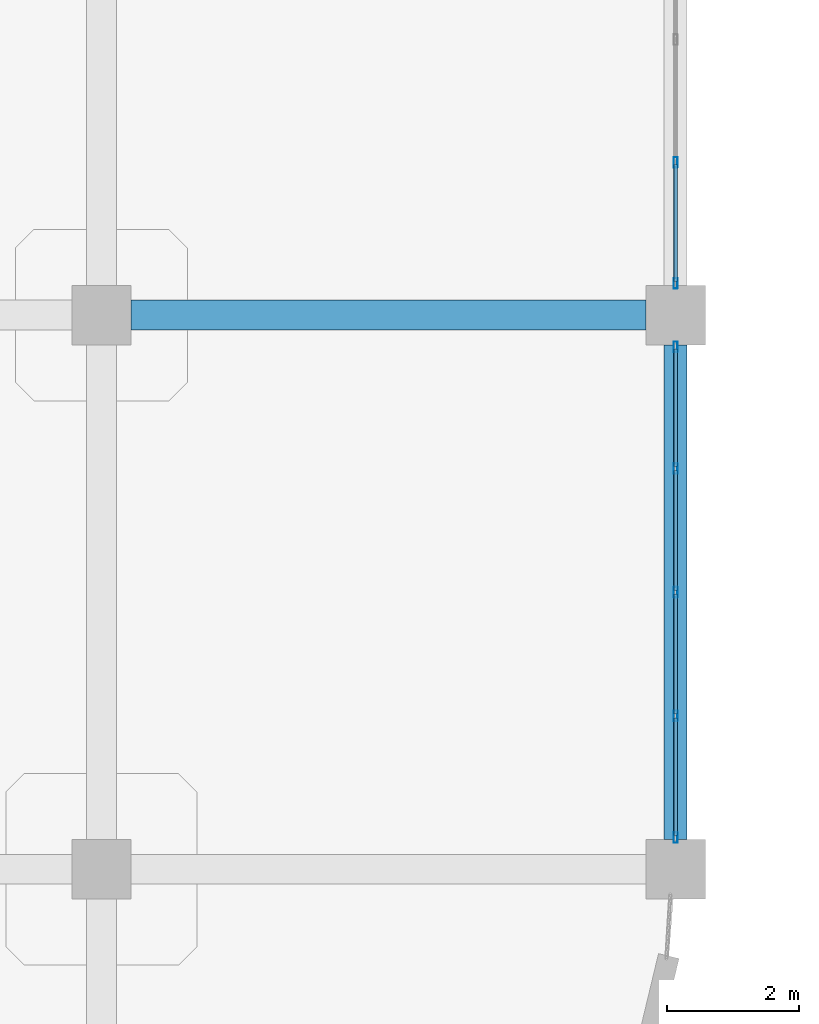
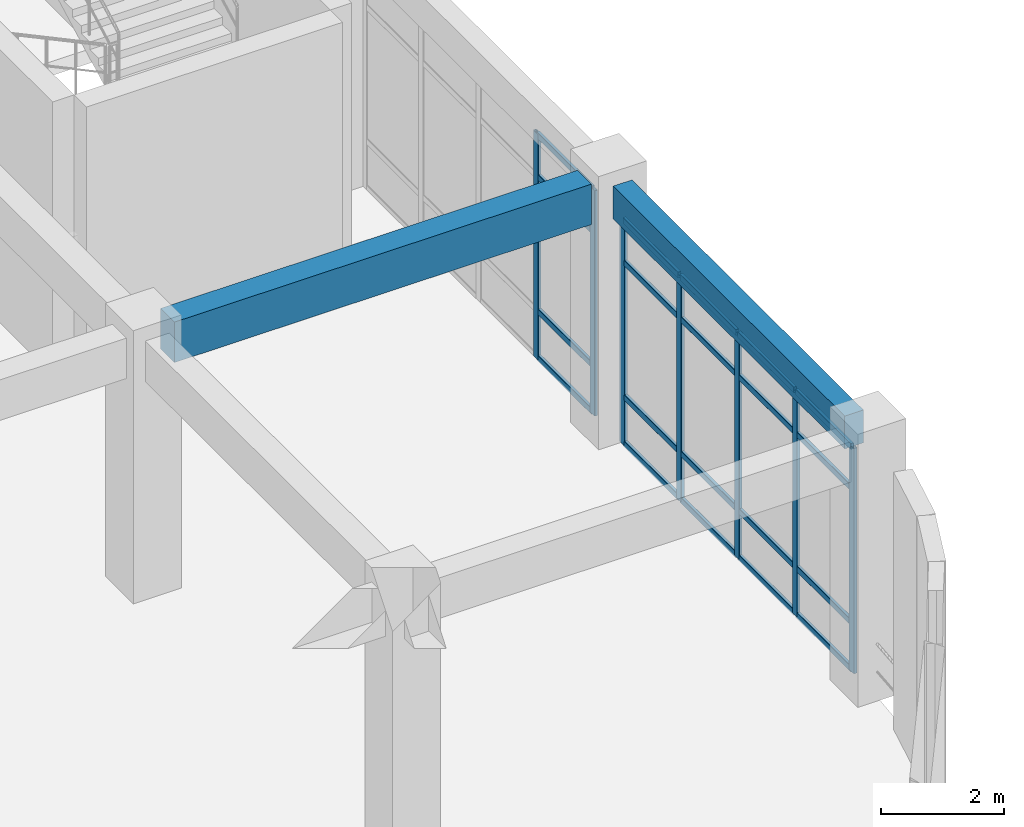
# One storey, part 23 of 114: 27 members, 2 beams, 2 elements without a shape of their own.
"""IFC4 building model written with IfcOpenShell, lengths in metres."""

from ifc_helpers import new_model, si_unit, derived_unit, direction, frame, origin, origin_2d, place, context, subcontext, project, spatial, rectangle, hollow_rectangle, extrude, material, layer, layer_set, material_profile, profile_set, type_object, element, aggregate, save


model = new_model("IFC4")

# Units and contexts
model_context = context("Model", 3, precision=1e-05, world=origin(), true_north=direction((0.0, 1.0)))
body_context = subcontext(model_context, "Body", "Model", "MODEL_VIEW")
ifc_project = project(units=[si_unit("LENGTHUNIT", "METRE"), si_unit("AREAUNIT", "SQUARE_METRE"), si_unit("VOLUMEUNIT", "CUBIC_METRE"), si_unit("PLANEANGLEUNIT", "RADIAN"), si_unit("MASSUNIT", "GRAM", prefix="KILO"), derived_unit("THERMALTRANSMITTANCEUNIT", [(si_unit("MASSUNIT", "GRAM", prefix="KILO"), 1), (si_unit("TIMEUNIT", "SECOND"), -3), (si_unit("THERMODYNAMICTEMPERATUREUNIT", "KELVIN"), -1)])], contexts=[model_context])

# Site, building, storey
site_placement = place(None, origin())
site = spatial("IfcSite", under=ifc_project, at=site_placement, CompositionType="ELEMENT")
building_placement = place(site_placement, origin())
building = spatial("IfcBuilding", under=site, at=building_placement, Name="Qinzheling Arcade Emporium", CompositionType="ELEMENT")
storey_placement = place(building_placement, frame((0.0, 0.0, 6.0)))
storey = spatial("IfcBuildingStorey", under=building, at=storey_placement, Name="L02", CompositionType="ELEMENT", Elevation=6.0)

# Curtain wall, members
ifc_material_1 = material(Name="Anodised aluminium and solar-control double glazing", Category="aluminium")
ifc_layer = layer(ifc_material_1, 0.159912109375, Name="Anodised aluminium and solar-control double glazing", Category="aluminium")
ifc_layer_set = layer_set([ifc_layer], Name="Anodised aluminium and solar-control double glazing")
curtain_wall_type = type_object("IfcCurtainWallType", Name="Arcade Portal Glazed Curtain Wall", PredefinedType="NOTDEFINED", material=ifc_layer_set)
curtain_wall_1_placement = place(storey_placement, origin())
curtain_wall_1 = element("IfcCurtainWall", 1, at=curtain_wall_1_placement, inside=storey, type_object=curtain_wall_type, Name="Curtain Wall CW-L02-067", PredefinedType="NOTDEFINED")
ifc_material_2 = material(Name="Anodised aluminium 6063-T6", Category="aluminium")
ifc_material_profile_1 = material_profile(ifc_material_2, hollow_rectangle(XDim=0.06005859375, YDim=0.159912109375, WallThickness=0.00390625, InnerFilletRadius=0.00390625, OuterFilletRadius=0.008056640625, at=origin_2d()), Name="RHS 160x60x4", Category="aluminium")
ifc_profile_set_1 = profile_set([ifc_material_profile_1], Name="Anodised aluminium 6063-T6")
member_type_1 = type_object("IfcMemberType", Name="Curtain Wall Mullion RHS160x60", PredefinedType="MULLION", material=ifc_profile_set_1)
member_1_placement = place(storey_placement, frame((69.60009765625, 19.113525390625, 0.0), z_axis=(0.0, 0.0, 1.0), x_axis=(1.0, 0.0, 0.0)))
member_1 = element("IfcMember", 2, at=member_1_placement, type_object=member_type_1, Name="CW05 mullion 4", PredefinedType="MULLION", context=body_context, shape_type="SweptSolid", body=[
    extrude(hollow_rectangle(XDim=0.06005859375, YDim=0.159912109375, WallThickness=0.00390625, InnerFilletRadius=0.00390625, OuterFilletRadius=0.008056640625, at=origin_2d()), origin(), (0.0, 0.0, 1.0), 4.455078125),
])
member_2_placement = place(storey_placement, frame((69.60009765625, 17.281982421875, 0.0), z_axis=(0.0, 0.0, 1.0), x_axis=(1.0, 0.0, 0.0)))
member_2 = element("IfcMember", 3, at=member_2_placement, type_object=member_type_1, Name="CW05 mullion 5", PredefinedType="MULLION", context=body_context, shape_type="SweptSolid", body=[
    extrude(hollow_rectangle(XDim=0.06005859375, YDim=0.159912109375, WallThickness=0.00390625, InnerFilletRadius=0.00390625, OuterFilletRadius=0.008056640625, at=origin_2d()), origin(), (0.0, 0.0, 1.0), 4.455078125),
])

curtain_wall_2_placement = place(storey_placement, origin())
curtain_wall_2 = element("IfcCurtainWall", 4, at=curtain_wall_2_placement, inside=storey, type_object=curtain_wall_type, Name="Curtain Wall CW-L02-068", PredefinedType="NOTDEFINED")
member_3_placement = place(storey_placement, frame((69.60009765625, 16.318115234375, 0.0), z_axis=(0.0, 0.0, 1.0), x_axis=(1.0, 0.0, 0.0)))
member_3 = element("IfcMember", 5, at=member_3_placement, type_object=member_type_1, Name="CW05 mullion 1", PredefinedType="MULLION", context=body_context, shape_type="SweptSolid", body=[
    extrude(hollow_rectangle(XDim=0.06005859375, YDim=0.159912109375, WallThickness=0.00390625, InnerFilletRadius=0.00390625, OuterFilletRadius=0.008056640625, at=origin_2d()), origin(), (0.0, 0.0, 1.0), 4.455078125),
])
member_4_placement = place(storey_placement, frame((69.60009765625, 14.47412109375, 0.0), z_axis=(0.0, 0.0, 1.0), x_axis=(1.0, 0.0, 0.0)))
member_4 = element("IfcMember", 6, at=member_4_placement, type_object=member_type_1, Name="CW05 mullion 2", PredefinedType="MULLION", context=body_context, shape_type="SweptSolid", body=[
    extrude(hollow_rectangle(XDim=0.06005859375, YDim=0.159912109375, WallThickness=0.00390625, InnerFilletRadius=0.00390625, OuterFilletRadius=0.008056640625, at=origin_2d()), origin(), (0.0, 0.0, 1.0), 4.455078125),
])
member_5_placement = place(storey_placement, frame((69.60009765625, 12.60009765625, 0.0), z_axis=(0.0, 0.0, 1.0), x_axis=(1.0, 0.0, 0.0)))
member_5 = element("IfcMember", 7, at=member_5_placement, type_object=member_type_1, Name="CW05 mullion 3", PredefinedType="MULLION", context=body_context, shape_type="SweptSolid", body=[
    extrude(hollow_rectangle(XDim=0.06005859375, YDim=0.159912109375, WallThickness=0.00390625, InnerFilletRadius=0.00390625, OuterFilletRadius=0.008056640625, at=origin_2d()), origin(), (0.0, 0.0, 1.0), 4.455078125),
])
member_6_placement = place(storey_placement, frame((69.60009765625, 10.72607421875, 0.0), z_axis=(0.0, 0.0, 1.0), x_axis=(1.0, 0.0, 0.0)))
member_6 = element("IfcMember", 8, at=member_6_placement, type_object=member_type_1, Name="CW05 mullion 4", PredefinedType="MULLION", context=body_context, shape_type="SweptSolid", body=[
    extrude(hollow_rectangle(XDim=0.06005859375, YDim=0.159912109375, WallThickness=0.00390625, InnerFilletRadius=0.00390625, OuterFilletRadius=0.008056640625, at=origin_2d()), origin(), (0.0, 0.0, 1.0), 4.455078125),
])
member_7_placement = place(storey_placement, frame((69.60009765625, 8.882080078125, 0.0), z_axis=(0.0, 0.0, 1.0), x_axis=(1.0, 0.0, 0.0)))
member_7 = element("IfcMember", 9, at=member_7_placement, type_object=member_type_1, Name="CW05 mullion 5", PredefinedType="MULLION", context=body_context, shape_type="SweptSolid", body=[
    extrude(hollow_rectangle(XDim=0.06005859375, YDim=0.159912109375, WallThickness=0.00390625, InnerFilletRadius=0.00390625, OuterFilletRadius=0.008056640625, at=origin_2d()), origin(), (0.0, 0.0, 1.0), 4.455078125),
])

# Member
ifc_material_profile_2 = material_profile(ifc_material_2, hollow_rectangle(XDim=0.06005859375, YDim=0.1201171875, WallThickness=0.00390625, InnerFilletRadius=0.00390625, OuterFilletRadius=0.008056640625, at=origin_2d()), Name="RHS 120x60x4", Category="aluminium")
ifc_profile_set_2 = profile_set([ifc_material_profile_2], Name="Anodised aluminium 6063-T6")
member_type_2 = type_object("IfcMemberType", Name="Curtain Wall Transom RHS120x60", PredefinedType="USERDEFINED", material=ifc_profile_set_2)
member_8_placement = place(storey_placement, frame((69.60009765625, 19.08349609375, 0.030029296875), z_axis=(0.0, -1.0, 0.0), x_axis=(1.0, 0.0, 0.0)))
member_8 = element("IfcMember", 10, at=member_8_placement, type_object=member_type_2, Name="CW05 transom 4.1", ObjectType="TRANSOM", PredefinedType="USERDEFINED", context=body_context, shape_type="SweptSolid", body=[
    extrude(hollow_rectangle(XDim=0.06005859375, YDim=0.1201171875, WallThickness=0.00390625, InnerFilletRadius=0.00390625, OuterFilletRadius=0.008056640625, at=origin_2d()), origin(), (0.0, 0.0, 1.0), 1.771484375),
])

member_9_placement = place(storey_placement, frame((69.60009765625, 19.08349609375, 0.949951171875), z_axis=(0.0, -1.0, 0.0), x_axis=(1.0, 0.0, 0.0)))
member_9 = element("IfcMember", 11, at=member_9_placement, type_object=member_type_2, Name="CW05 transom 4.2", ObjectType="TRANSOM", PredefinedType="USERDEFINED", context=body_context, shape_type="SweptSolid", body=[
    extrude(hollow_rectangle(XDim=0.06005859375, YDim=0.1201171875, WallThickness=0.00390625, InnerFilletRadius=0.00390625, OuterFilletRadius=0.008056640625, at=origin_2d()), origin(), (0.0, 0.0, 1.0), 1.771484375),
])

member_10_placement = place(storey_placement, frame((69.60009765625, 19.08349609375, 3.60498046875), z_axis=(0.0, -1.0, 0.0), x_axis=(1.0, 0.0, 0.0)))
member_10 = element("IfcMember", 12, at=member_10_placement, type_object=member_type_2, Name="CW05 transom 4.3", ObjectType="TRANSOM", PredefinedType="USERDEFINED", context=body_context, shape_type="SweptSolid", body=[
    extrude(hollow_rectangle(XDim=0.06005859375, YDim=0.1201171875, WallThickness=0.00390625, InnerFilletRadius=0.00390625, OuterFilletRadius=0.008056640625, at=origin_2d()), origin(), (0.0, 0.0, 1.0), 1.771484375),
])

member_11_placement = place(storey_placement, frame((69.60009765625, 19.08349609375, 4.425048828125), z_axis=(0.0, -1.0, 0.0), x_axis=(1.0, 0.0, 0.0)))
member_11 = element("IfcMember", 13, at=member_11_placement, type_object=member_type_2, Name="CW05 transom 4.4", ObjectType="TRANSOM", PredefinedType="USERDEFINED", context=body_context, shape_type="SweptSolid", body=[
    extrude(hollow_rectangle(XDim=0.06005859375, YDim=0.1201171875, WallThickness=0.00390625, InnerFilletRadius=0.00390625, OuterFilletRadius=0.008056640625, at=origin_2d()), origin(), (0.0, 0.0, 1.0), 1.771484375),
])

aggregate(curtain_wall_1, [member_1, member_2, member_8, member_9, member_10, member_11])

member_12_placement = place(storey_placement, frame((69.60009765625, 16.2880859375, 0.030029296875), z_axis=(0.0, -1.0, 0.0), x_axis=(1.0, 0.0, 0.0)))
member_12 = element("IfcMember", 14, at=member_12_placement, type_object=member_type_2, Name="CW05 transom 1.1", ObjectType="TRANSOM", PredefinedType="USERDEFINED", context=body_context, shape_type="SweptSolid", body=[
    extrude(hollow_rectangle(XDim=0.06005859375, YDim=0.1201171875, WallThickness=0.00390625, InnerFilletRadius=0.00390625, OuterFilletRadius=0.008056640625, at=origin_2d()), origin(), (0.0, 0.0, 1.0), 1.7841796875),
])

member_13_placement = place(storey_placement, frame((69.60009765625, 16.2880859375, 0.949951171875), z_axis=(0.0, -1.0, 0.0), x_axis=(1.0, 0.0, 0.0)))
member_13 = element("IfcMember", 15, at=member_13_placement, type_object=member_type_2, Name="CW05 transom 1.2", ObjectType="TRANSOM", PredefinedType="USERDEFINED", context=body_context, shape_type="SweptSolid", body=[
    extrude(hollow_rectangle(XDim=0.06005859375, YDim=0.1201171875, WallThickness=0.00390625, InnerFilletRadius=0.00390625, OuterFilletRadius=0.008056640625, at=origin_2d()), origin(), (0.0, 0.0, 1.0), 1.7841796875),
])

member_14_placement = place(storey_placement, frame((69.60009765625, 16.2880859375, 3.60498046875), z_axis=(0.0, -1.0, 0.0), x_axis=(1.0, 0.0, 0.0)))
member_14 = element("IfcMember", 16, at=member_14_placement, type_object=member_type_2, Name="CW05 transom 1.3", ObjectType="TRANSOM", PredefinedType="USERDEFINED", context=body_context, shape_type="SweptSolid", body=[
    extrude(hollow_rectangle(XDim=0.06005859375, YDim=0.1201171875, WallThickness=0.00390625, InnerFilletRadius=0.00390625, OuterFilletRadius=0.008056640625, at=origin_2d()), origin(), (0.0, 0.0, 1.0), 1.7841796875),
])

member_15_placement = place(storey_placement, frame((69.60009765625, 16.2880859375, 4.425048828125), z_axis=(0.0, -1.0, 0.0), x_axis=(1.0, 0.0, 0.0)))
member_15 = element("IfcMember", 17, at=member_15_placement, type_object=member_type_2, Name="CW05 transom 1.4", ObjectType="TRANSOM", PredefinedType="USERDEFINED", context=body_context, shape_type="SweptSolid", body=[
    extrude(hollow_rectangle(XDim=0.06005859375, YDim=0.1201171875, WallThickness=0.00390625, InnerFilletRadius=0.00390625, OuterFilletRadius=0.008056640625, at=origin_2d()), origin(), (0.0, 0.0, 1.0), 1.7841796875),
])

member_16_placement = place(storey_placement, frame((69.60009765625, 14.444091796875, 0.030029296875), z_axis=(0.0, -1.0, 0.0), x_axis=(1.0, 0.0, 0.0)))
member_16 = element("IfcMember", 18, at=member_16_placement, type_object=member_type_2, Name="CW05 transom 2.1", ObjectType="TRANSOM", PredefinedType="USERDEFINED", context=body_context, shape_type="SweptSolid", body=[
    extrude(hollow_rectangle(XDim=0.06005859375, YDim=0.1201171875, WallThickness=0.00390625, InnerFilletRadius=0.00390625, OuterFilletRadius=0.008056640625, at=origin_2d()), origin(), (0.0, 0.0, 1.0), 1.814208984375),
])

member_17_placement = place(storey_placement, frame((69.60009765625, 14.444091796875, 0.949951171875), z_axis=(0.0, -1.0, 0.0), x_axis=(1.0, 0.0, 0.0)))
member_17 = element("IfcMember", 19, at=member_17_placement, type_object=member_type_2, Name="CW05 transom 2.2", ObjectType="TRANSOM", PredefinedType="USERDEFINED", context=body_context, shape_type="SweptSolid", body=[
    extrude(hollow_rectangle(XDim=0.06005859375, YDim=0.1201171875, WallThickness=0.00390625, InnerFilletRadius=0.00390625, OuterFilletRadius=0.008056640625, at=origin_2d()), origin(), (0.0, 0.0, 1.0), 1.814208984375),
])

member_18_placement = place(storey_placement, frame((69.60009765625, 14.444091796875, 3.60498046875), z_axis=(0.0, -1.0, 0.0), x_axis=(1.0, 0.0, 0.0)))
member_18 = element("IfcMember", 20, at=member_18_placement, type_object=member_type_2, Name="CW05 transom 2.3", ObjectType="TRANSOM", PredefinedType="USERDEFINED", context=body_context, shape_type="SweptSolid", body=[
    extrude(hollow_rectangle(XDim=0.06005859375, YDim=0.1201171875, WallThickness=0.00390625, InnerFilletRadius=0.00390625, OuterFilletRadius=0.008056640625, at=origin_2d()), origin(), (0.0, 0.0, 1.0), 1.814208984375),
])

member_19_placement = place(storey_placement, frame((69.60009765625, 14.444091796875, 4.425048828125), z_axis=(0.0, -1.0, 0.0), x_axis=(1.0, 0.0, 0.0)))
member_19 = element("IfcMember", 21, at=member_19_placement, type_object=member_type_2, Name="CW05 transom 2.4", ObjectType="TRANSOM", PredefinedType="USERDEFINED", context=body_context, shape_type="SweptSolid", body=[
    extrude(hollow_rectangle(XDim=0.06005859375, YDim=0.1201171875, WallThickness=0.00390625, InnerFilletRadius=0.00390625, OuterFilletRadius=0.008056640625, at=origin_2d()), origin(), (0.0, 0.0, 1.0), 1.814208984375),
])

member_20_placement = place(storey_placement, frame((69.60009765625, 12.570068359375, 0.030029296875), z_axis=(0.0, -1.0, 0.0), x_axis=(1.0, 0.0, 0.0)))
member_20 = element("IfcMember", 22, at=member_20_placement, type_object=member_type_2, Name="CW05 transom 3.1", ObjectType="TRANSOM", PredefinedType="USERDEFINED", context=body_context, shape_type="SweptSolid", body=[
    extrude(hollow_rectangle(XDim=0.06005859375, YDim=0.1201171875, WallThickness=0.00390625, InnerFilletRadius=0.00390625, OuterFilletRadius=0.008056640625, at=origin_2d()), origin(), (0.0, 0.0, 1.0), 1.81396484375),
])

member_21_placement = place(storey_placement, frame((69.60009765625, 12.570068359375, 0.949951171875), z_axis=(0.0, -1.0, 0.0), x_axis=(1.0, 0.0, 0.0)))
member_21 = element("IfcMember", 23, at=member_21_placement, type_object=member_type_2, Name="CW05 transom 3.2", ObjectType="TRANSOM", PredefinedType="USERDEFINED", context=body_context, shape_type="SweptSolid", body=[
    extrude(hollow_rectangle(XDim=0.06005859375, YDim=0.1201171875, WallThickness=0.00390625, InnerFilletRadius=0.00390625, OuterFilletRadius=0.008056640625, at=origin_2d()), origin(), (0.0, 0.0, 1.0), 1.81396484375),
])

member_22_placement = place(storey_placement, frame((69.60009765625, 12.570068359375, 3.60498046875), z_axis=(0.0, -1.0, 0.0), x_axis=(1.0, 0.0, 0.0)))
member_22 = element("IfcMember", 24, at=member_22_placement, type_object=member_type_2, Name="CW05 transom 3.3", ObjectType="TRANSOM", PredefinedType="USERDEFINED", context=body_context, shape_type="SweptSolid", body=[
    extrude(hollow_rectangle(XDim=0.06005859375, YDim=0.1201171875, WallThickness=0.00390625, InnerFilletRadius=0.00390625, OuterFilletRadius=0.008056640625, at=origin_2d()), origin(), (0.0, 0.0, 1.0), 1.81396484375),
])

member_23_placement = place(storey_placement, frame((69.60009765625, 12.570068359375, 4.425048828125), z_axis=(0.0, -1.0, 0.0), x_axis=(1.0, 0.0, 0.0)))
member_23 = element("IfcMember", 25, at=member_23_placement, type_object=member_type_2, Name="CW05 transom 3.4", ObjectType="TRANSOM", PredefinedType="USERDEFINED", context=body_context, shape_type="SweptSolid", body=[
    extrude(hollow_rectangle(XDim=0.06005859375, YDim=0.1201171875, WallThickness=0.00390625, InnerFilletRadius=0.00390625, OuterFilletRadius=0.008056640625, at=origin_2d()), origin(), (0.0, 0.0, 1.0), 1.81396484375),
])

member_24_placement = place(storey_placement, frame((69.60009765625, 10.696044921875, 0.030029296875), z_axis=(0.0, -1.0, 0.0), x_axis=(1.0, 0.0, 0.0)))
member_24 = element("IfcMember", 26, at=member_24_placement, type_object=member_type_2, Name="CW05 transom 4.1", ObjectType="TRANSOM", PredefinedType="USERDEFINED", context=body_context, shape_type="SweptSolid", body=[
    extrude(hollow_rectangle(XDim=0.06005859375, YDim=0.1201171875, WallThickness=0.00390625, InnerFilletRadius=0.00390625, OuterFilletRadius=0.008056640625, at=origin_2d()), origin(), (0.0, 0.0, 1.0), 1.783935546875),
])

member_25_placement = place(storey_placement, frame((69.60009765625, 10.696044921875, 0.949951171875), z_axis=(0.0, -1.0, 0.0), x_axis=(1.0, 0.0, 0.0)))
member_25 = element("IfcMember", 27, at=member_25_placement, type_object=member_type_2, Name="CW05 transom 4.2", ObjectType="TRANSOM", PredefinedType="USERDEFINED", context=body_context, shape_type="SweptSolid", body=[
    extrude(hollow_rectangle(XDim=0.06005859375, YDim=0.1201171875, WallThickness=0.00390625, InnerFilletRadius=0.00390625, OuterFilletRadius=0.008056640625, at=origin_2d()), origin(), (0.0, 0.0, 1.0), 1.783935546875),
])

member_26_placement = place(storey_placement, frame((69.60009765625, 10.696044921875, 3.60498046875), z_axis=(0.0, -1.0, 0.0), x_axis=(1.0, 0.0, 0.0)))
member_26 = element("IfcMember", 28, at=member_26_placement, type_object=member_type_2, Name="CW05 transom 4.3", ObjectType="TRANSOM", PredefinedType="USERDEFINED", context=body_context, shape_type="SweptSolid", body=[
    extrude(hollow_rectangle(XDim=0.06005859375, YDim=0.1201171875, WallThickness=0.00390625, InnerFilletRadius=0.00390625, OuterFilletRadius=0.008056640625, at=origin_2d()), origin(), (0.0, 0.0, 1.0), 1.783935546875),
])

member_27_placement = place(storey_placement, frame((69.60009765625, 10.696044921875, 4.425048828125), z_axis=(0.0, -1.0, 0.0), x_axis=(1.0, 0.0, 0.0)))
member_27 = element("IfcMember", 29, at=member_27_placement, type_object=member_type_2, Name="CW05 transom 4.4", ObjectType="TRANSOM", PredefinedType="USERDEFINED", context=body_context, shape_type="SweptSolid", body=[
    extrude(hollow_rectangle(XDim=0.06005859375, YDim=0.1201171875, WallThickness=0.00390625, InnerFilletRadius=0.00390625, OuterFilletRadius=0.008056640625, at=origin_2d()), origin(), (0.0, 0.0, 1.0), 1.783935546875),
])

aggregate(curtain_wall_2, [member_3, member_4, member_5, member_6, member_7, member_12, member_13, member_14, member_15, member_16, member_17, member_18, member_19, member_20, member_21, member_22, member_23, member_24, member_25, member_26, member_27])

# Beams
ifc_material_3 = material(Name="Concrete C40", Category="concrete")
ifc_material_profile_3 = material_profile(ifc_material_3, rectangle(XDim=0.449951171875, YDim=0.800048828125, at=origin_2d()), Name="RC 450x800", Category="concrete")
ifc_profile_set_3 = profile_set([ifc_material_profile_3], Name="Concrete C40")
beam_type_1 = type_object("IfcBeamType", Name="RC Primary Frame Beam 450x800 C40", PredefinedType="BEAM", material=ifc_profile_set_3)
beam_1_placement = place(storey_placement, frame((61.35009765625, 16.800048828125, 4.719970703125), z_axis=(1.0, 0.0, 0.0), x_axis=(0.0, 1.0, 0.0)))
element("IfcBeam", 30, at=beam_1_placement, inside=storey, type_object=beam_type_1, Name="Beam BM-L02-X-C-8", PredefinedType="BEAM", context=body_context, shape_type="SweptSolid", body=[
    extrude(rectangle(XDim=0.449951171875, YDim=0.800048828125, at=origin_2d()), origin(), (0.0, 0.0, 1.0), 7.7998046875),
])
ifc_material_profile_4 = material_profile(ifc_material_3, rectangle(XDim=0.35009765625, YDim=0.64990234375, at=origin_2d()), Name="RC 350x650", Category="concrete")
ifc_profile_set_4 = profile_set([ifc_material_profile_4], Name="Concrete C40")
beam_type_2 = type_object("IfcBeamType", Name="RC Spandrel Edge Beam 350x650 C40", PredefinedType="SPANDREL", material=ifc_profile_set_4)
beam_2_placement = place(storey_placement, frame((69.60009765625, 8.85009765625, 4.794921875), z_axis=(0.0, 1.0, 0.0), x_axis=(-1.0, 0.0, 0.0)))
element("IfcBeam", 31, at=beam_2_placement, inside=storey, type_object=beam_type_2, Name="Beam BM-L02-Y-9-B", PredefinedType="SPANDREL", context=body_context, shape_type="SweptSolid", body=[
    extrude(rectangle(XDim=0.35009765625, YDim=0.64990234375, at=origin_2d()), origin(), (0.0, 0.0, 1.0), 7.5),
])

save(model, "model.ifc")
